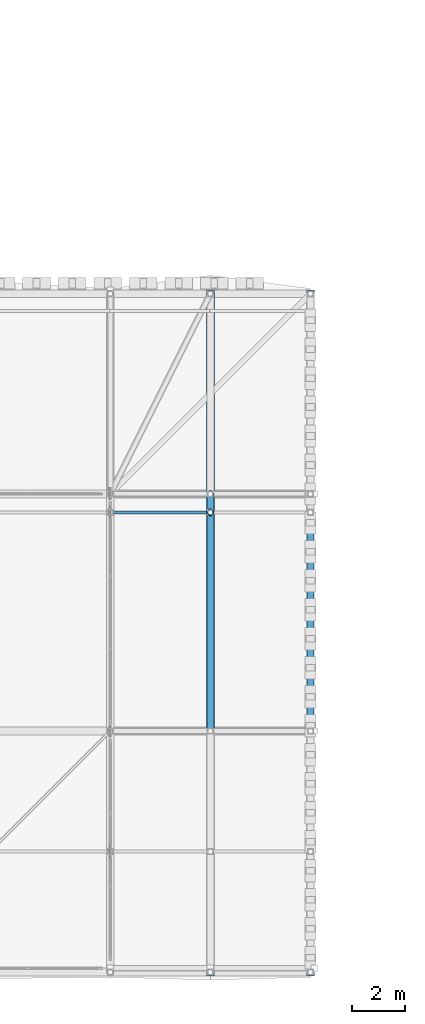
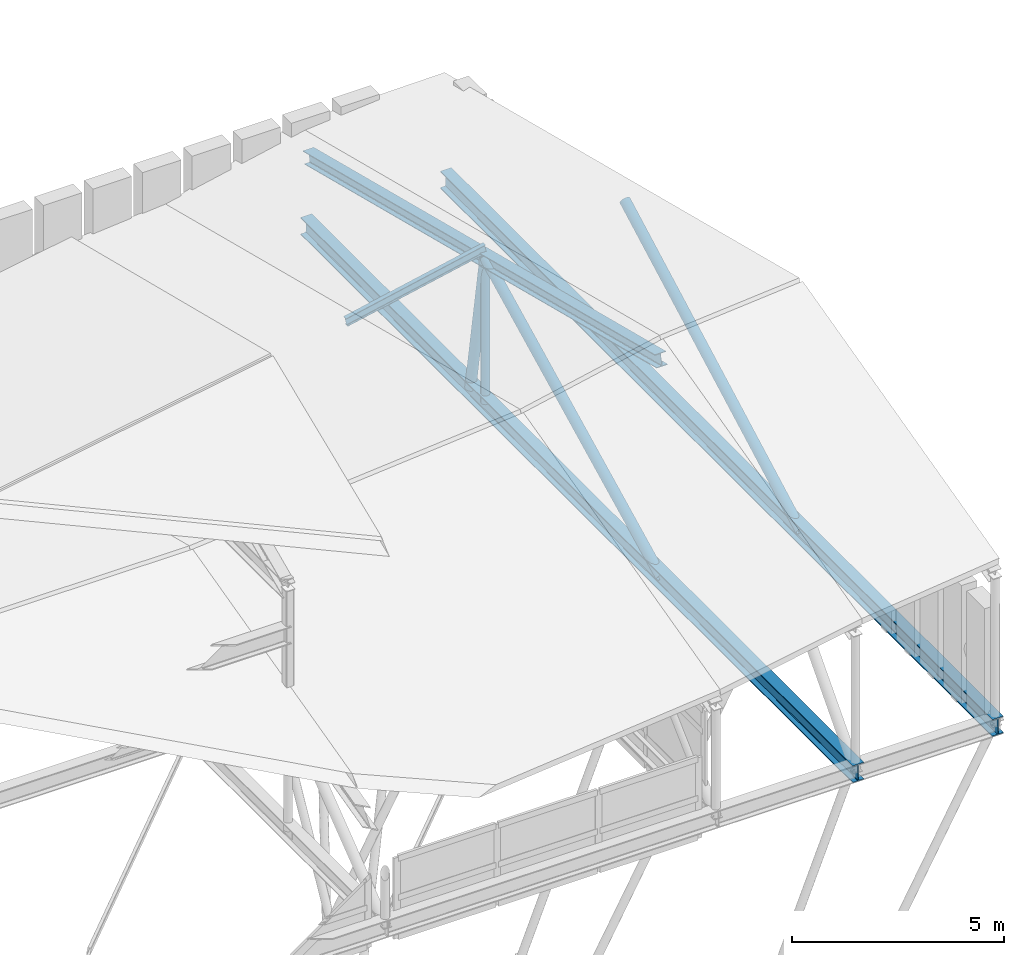
# One storey, part 23 of 42: 6 members, 2 beams.
"""IFC4 building model written with IfcOpenShell, lengths in metres."""

from ifc_helpers import new_model, si_unit, direction, frame, origin, origin_2d, place, context, subcontext, project, spatial, hollow_circle, i_section, extrude, material, material_profile, profile_set, type_object, element, save


model = new_model("IFC4")

# Units and contexts
model_context = context("Model", 3, precision=1e-05, world=origin(), true_north=direction((0.0, 1.0)))
body_context = subcontext(model_context, "Body", "Model", "MODEL_VIEW")
ifc_project = project(units=[si_unit("LENGTHUNIT", "METRE"), si_unit("AREAUNIT", "SQUARE_METRE"), si_unit("VOLUMEUNIT", "CUBIC_METRE"), si_unit("PLANEANGLEUNIT", "RADIAN"), si_unit("MASSUNIT", "GRAM", prefix="KILO")], contexts=[model_context])

# Site, building, storey
site_placement = place(None, origin())
site = spatial("IfcSite", under=ifc_project, at=site_placement, CompositionType="ELEMENT")
building_placement = place(site_placement, origin())
building = spatial("IfcBuilding", under=site, at=building_placement, Name="Bozkorgan Art Gallery", CompositionType="ELEMENT")
storey_placement = place(building_placement, frame((0.0, 0.0, 28.800048828125)))
storey = spatial("IfcBuildingStorey", under=building, at=storey_placement, Name="RF", CompositionType="ELEMENT", Elevation=28.800048828125)

# Beams
ifc_material = material(Name="Steel S355J2", Category="steel")
ifc_material_profile_1 = material_profile(ifc_material, i_section(OverallWidth=0.300048828125, OverallDepth=0.5, WebThickness=0.014404296875, FlangeThickness=0.028076171875, FilletRadius=0.027099609375, at=origin_2d()), Name="HEB 500")
ifc_profile_set_1 = profile_set([ifc_material_profile_1], Name="Steel S355J2")
beam_type = type_object("IfcBeamType", Name="BEAM-TO-52", PredefinedType="BEAM", material=ifc_profile_set_1)
for number, where, z_axis, x_axis, name in (
    (1, (68.800048828125, 1.7099609375, 0.25), (0.0, 1.0, 0.0), (-1.0, 0.0, 0.0), "ROOF-V1-MAIN overhang fascia truss 9 bottom chord"),
    (2, (72.60009765625, 1.7099609375, 0.25), (0.0, 1.0, 0.0), (-1.0, 0.0, 0.0), "ROOF-V1-MAIN overhang fascia truss 10 bottom chord"),
):
    element("IfcBeam", number, at=place(storey_placement, frame(where, z_axis=z_axis, x_axis=x_axis)), inside=storey, type_object=beam_type, Name=name, PredefinedType="BEAM", context=body_context, shape_type="SweptSolid", body=[
        extrude(i_section(OverallWidth=0.300048828125, OverallDepth=0.5, WebThickness=0.014404296875, FlangeThickness=0.028076171875, FilletRadius=0.027099609375, at=origin_2d()), origin(), (0.0, 0.0, 1.0), 26.030029296875),
    ])

# Members
ifc_material_profile_2 = material_profile(ifc_material, hollow_circle(Radius=0.109619140625, WallThickness=0.010009765625, at=origin_2d()), Name="CHS 219.1x10")
ifc_profile_set_2 = profile_set([ifc_material_profile_2], Name="Steel S355J2")
member_type_1 = type_object("IfcMemberType", Name="MEMBER-PO-77", PredefinedType="POST", material=ifc_profile_set_2)
member_1_placement = place(storey_placement, frame((68.800048828125, 19.300048828125, 0.25), z_axis=(0.0, 0.0, 1.0), x_axis=(1.0, 0.0, 0.0)))
element("IfcMember", 3, at=member_1_placement, inside=storey, type_object=member_type_1, Name="ROOF-V1-MAIN roof truss 9 post 3", PredefinedType="POST", context=body_context, shape_type="SweptSolid", body=[
    extrude(hollow_circle(Radius=0.109619140625, WallThickness=0.010009765625, at=origin_2d()), origin(), (0.0, 0.0, 1.0), 4.15234375),
])
ifc_material_profile_3 = material_profile(ifc_material, i_section(OverallWidth=0.1201171875, OverallDepth=0.239990234375, WebThickness=0.006103515625, FlangeThickness=0.009765625, FilletRadius=0.014892578125, at=origin_2d()), Name="IPE 240")
ifc_profile_set_3 = profile_set([ifc_material_profile_3], Name="Steel S355J2")
member_type_2 = type_object("IfcMemberType", Name="MEMBER-PR-34", PredefinedType="PURLIN", material=ifc_profile_set_3)
member_2_placement = place(storey_placement, frame((65.0, 19.300048828125, 3.900634765625), z_axis=(0.978724893195, 0.0, 0.205176956408), x_axis=(0.0, 1.0, 0.0)))
element("IfcMember", 4, at=member_2_placement, inside=storey, type_object=member_type_2, Name="ROOF-V1-MAIN roof purlin 8N", PredefinedType="PURLIN", context=body_context, shape_type="SweptSolid", body=[
    extrude(i_section(OverallWidth=0.1201171875, OverallDepth=0.239990234375, WebThickness=0.006103515625, FlangeThickness=0.009765625, FilletRadius=0.014892578125, at=origin_2d()), origin(), (0.0, 0.0, 1.0), 3.882568359375),
])
ifc_material_profile_4 = material_profile(ifc_material, i_section(OverallWidth=0.300048828125, OverallDepth=0.35009765625, WebThickness=0.010009765625, FlangeThickness=0.017578125, FilletRadius=0.027099609375, at=origin_2d()), Name="HEA 360")
ifc_profile_set_4 = profile_set([ifc_material_profile_4], Name="Steel S355J2")
member_type_3 = type_object("IfcMemberType", Name="MEMBER-TC-31", PredefinedType="CHORD", material=ifc_profile_set_4)
member_3_placement = place(storey_placement, frame((68.800048828125, 11.0, 6.50244140625), z_axis=(0.0, 0.969449171196, -0.245292283749), x_axis=(-1.0, 0.0, 0.0)))
element("IfcMember", 5, at=member_3_placement, inside=storey, type_object=member_type_3, Name="ROOF-V1-MAIN roof truss 9 north top chord", PredefinedType="CHORD", context=body_context, shape_type="SweptSolid", body=[
    extrude(i_section(OverallWidth=0.300048828125, OverallDepth=0.35009765625, WebThickness=0.010009765625, FlangeThickness=0.017578125, FilletRadius=0.027099609375, at=origin_2d()), origin(), (0.0, 0.0, 1.0), 17.123291015625),
])
ifc_material_profile_5 = material_profile(ifc_material, hollow_circle(Radius=0.136474609375, WallThickness=0.012451171875, at=origin_2d()), Name="CHS 273x12.5")
ifc_profile_set_5 = profile_set([ifc_material_profile_5], Name="Steel S355J2")
member_type_4 = type_object("IfcMemberType", Name="MEMBER-TW-28", PredefinedType="BRACE", material=ifc_profile_set_5)
member_4_placement = place(storey_placement, frame((68.800048828125, 11.0, 0.25), z_axis=(0.0, 0.894327205618, 0.447413510403), x_axis=(-1.0, 0.0, 0.0)))
element("IfcMember", 6, at=member_4_placement, inside=storey, type_object=member_type_4, Name="ROOF-V1-MAIN roof truss 9 diagonal 3", PredefinedType="BRACE", context=body_context, shape_type="SweptSolid", body=[
    extrude(hollow_circle(Radius=0.136474609375, WallThickness=0.012451171875, at=origin_2d()), origin(), (0.0, 0.0, 1.0), 9.28076171875),
])
member_5_placement = place(storey_placement, frame((68.800048828125, 19.300048828125, 4.40234375), z_axis=(0.0, 0.166222659867, -0.986088245213), x_axis=(-1.0, 0.0, 0.0)))
element("IfcMember", 7, at=member_5_placement, inside=storey, type_object=member_type_4, Name="ROOF-V1-MAIN roof truss 9 diagonal 4", PredefinedType="BRACE", context=body_context, shape_type="SweptSolid", body=[
    extrude(hollow_circle(Radius=0.136474609375, WallThickness=0.012451171875, at=origin_2d()), origin(), (0.0, 0.0, 1.0), 4.2109375),
])
member_6_placement = place(storey_placement, frame((72.60009765625, 11.0, 0.25), z_axis=(0.0, 0.880125886887, 0.474740374554), x_axis=(-1.0, 0.0, 0.0)))
element("IfcMember", 8, at=member_6_placement, inside=storey, type_object=member_type_4, Name="ROOF-V1-MAIN roof truss 10 diagonal 3", PredefinedType="BRACE", context=body_context, shape_type="SweptSolid", body=[
    extrude(hollow_circle(Radius=0.136474609375, WallThickness=0.012451171875, at=origin_2d()), origin(), (0.0, 0.0, 1.0), 9.430419921875),
])

save(model, "model.ifc")
